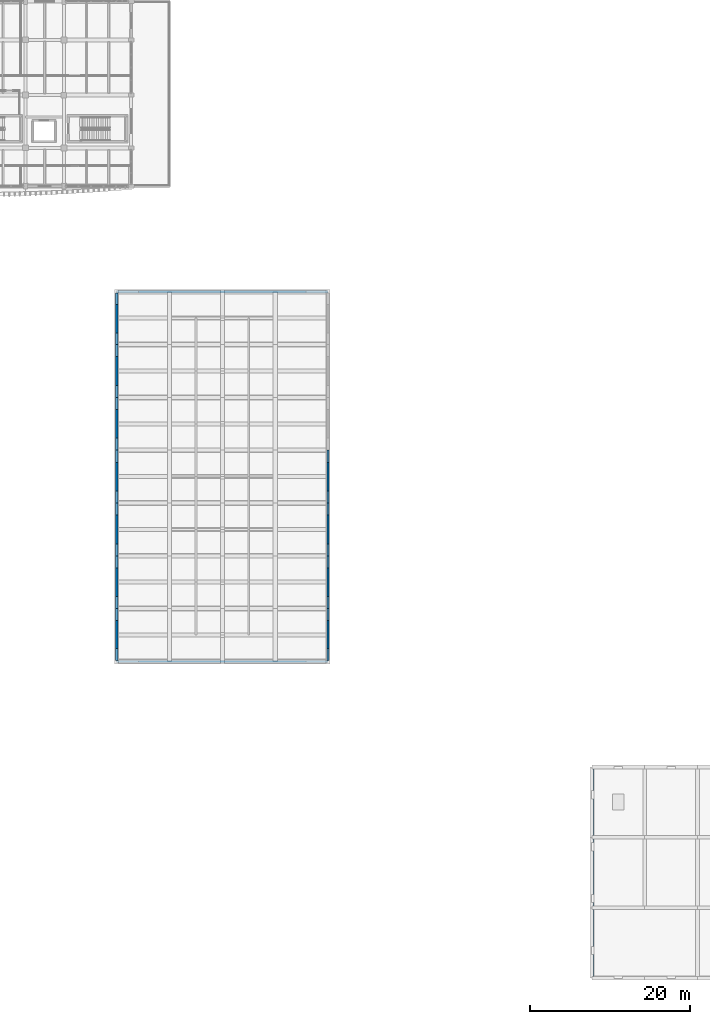
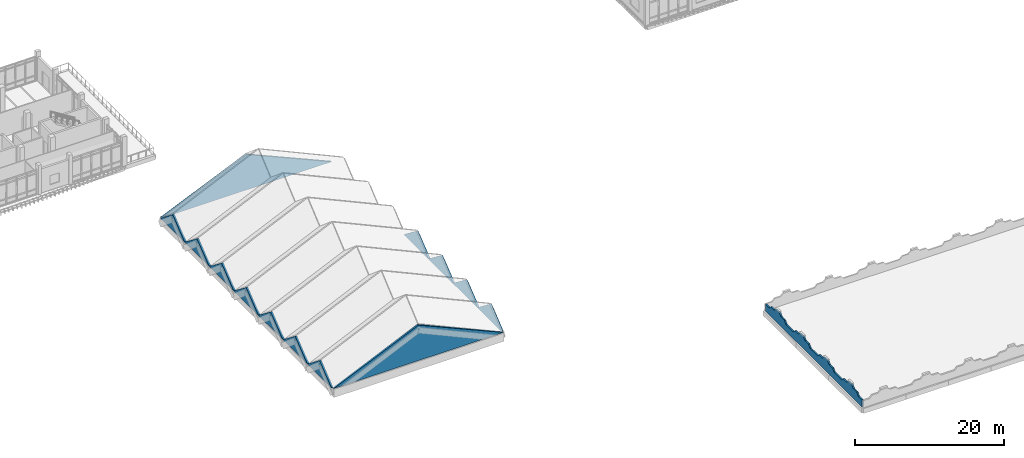
# One storey, part 26 of 50: 14 walls.
"""IFC4 building model written with IfcOpenShell, lengths in metres."""

from ifc_helpers import new_model, si_unit, direction, frame, origin, place, context, subcontext, project, spatial, polyline, outline, extrude, material, layer, layer_set, type_object, element, save


model = new_model("IFC4")

# Units and contexts
model_context = context("Model", 3, precision=1e-05, world=origin(), true_north=direction((0.0, 1.0)))
body_context = subcontext(model_context, "Body", "Model", "MODEL_VIEW")
ifc_project = project(units=[si_unit("LENGTHUNIT", "METRE"), si_unit("AREAUNIT", "SQUARE_METRE"), si_unit("VOLUMEUNIT", "CUBIC_METRE"), si_unit("PLANEANGLEUNIT", "RADIAN"), si_unit("MASSUNIT", "GRAM", prefix="KILO")], contexts=[model_context])

# Site, building, storey
site_placement = place(None, origin())
site = spatial("IfcSite", under=ifc_project, at=site_placement, CompositionType="ELEMENT")
building_placement = place(site_placement, origin())
building = spatial("IfcBuilding", under=site, at=building_placement, Name="Dornvale Research Institute", CompositionType="ELEMENT")
storey_placement = place(building_placement, frame((0.0, 0.0, 19.800048828125)))
storey = spatial("IfcBuildingStorey", under=building, at=storey_placement, Name="L04", CompositionType="ELEMENT", Elevation=19.800048828125)

# Walls
ifc_material_1 = material(Name="Concrete f'c 40 MPa (C32/40)", Category="concrete")
ifc_layer_1 = layer(ifc_material_1, 0.219970703125)
ifc_layer_set_1 = layer_set([ifc_layer_1], Name="Concrete f'c 40 MPa (C32/40)")
wall_type_1 = type_object("IfcWallType", Name="Parapet_Roof_220", PredefinedType="PARAPET", material=ifc_layer_set_1)
wall_1_placement = place(storey_placement, frame((99.110107421875, 0.219970703125, 0.0), z_axis=(0.0, 0.0, 1.0), x_axis=(0.0, 1.0, 0.0)))
element("IfcWall", 1, at=wall_1_placement, inside=storey, type_object=wall_type_1, Name="L04 V3-L04 parapet W", PredefinedType="PARAPET", context=body_context, shape_type="SweptSolid", body=[
    extrude(outline(polyline([(0.0, 0.0), (25.9599609375, 0.0), (25.9599609375, 1.14990234375), (24.921630859375, 1.14990234375), (24.5322265625, 1.579833984375), (23.62353515625, 1.579833984375), (23.1044921875, 2.050048828125), (22.32568359375, 2.050048828125), (21.806396484375, 1.579833984375), (20.897705078125, 1.579833984375), (20.50830078125, 1.14990234375), (19.469970703125, 1.14990234375), (18.431640625, 1.14990234375), (18.042236328125, 1.579833984375), (17.133544921875, 1.579833984375), (16.614501953125, 2.050048828125), (15.835693359375, 2.050048828125), (15.31640625, 1.579833984375), (14.40771484375, 1.579833984375), (14.018310546875, 1.14990234375), (12.97998046875, 1.14990234375), (11.941650390625, 1.14990234375), (11.55224609375, 1.579833984375), (10.6435546875, 1.579833984375), (10.12451171875, 2.050048828125), (9.345703125, 2.050048828125), (8.826416015625, 1.579833984375), (7.917724609375, 1.579833984375), (7.5283203125, 1.14990234375), (6.489990234375, 1.14990234375), (5.45166015625, 1.14990234375), (5.062255859375, 1.579833984375), (4.153564453125, 1.579833984375), (3.634521484375, 2.050048828125), (2.855712890625, 2.050048828125), (2.33642578125, 1.579833984375), (1.427734375, 1.579833984375), (1.038330078125, 1.14990234375), (0.0, 1.14990234375), (0.0, 0.0)])), frame((0.0, 0.10986328125, 0.0), z_axis=(0.0, -1.0, 0.0), x_axis=(1.0, 0.0, 0.0)), (0.0, 0.0, 1.0), 0.219970703125),
])
ifc_material_2 = material(Name="Precast Concrete f'c 40 MPa (C32/40) and Glazed Terracotta Backup Wall", Category="masonry")
ifc_layer_2 = layer(ifc_material_2, 0.280029296875)
ifc_layer_set_2 = layer_set([ifc_layer_2], Name="Precast Concrete f'c 40 MPa (C32/40) and Glazed Terracotta Backup Wall")
wall_type_2 = type_object("IfcWallType", Name="SolidWall_TerracottaBackup_280", PredefinedType="SOLIDWALL", material=ifc_layer_set_2)
for number, where, z_axis, x_axis, name in (
    (2, (66.0, 39.60009765625, 0.0), (0.0, 0.0, 1.0), (-1.0, 0.0, 0.0), "V2 Interaction Atrium south valley gable tympanum wall"),
    (3, (39.60009765625, 85.800048828125, 0.0), (0.0, 0.0, 1.0), (1.0, 0.0, 0.0), "V2 Interaction Atrium north valley gable tympanum wall"),
):
    element("IfcWall", number, at=place(storey_placement, frame(where, z_axis=z_axis, x_axis=x_axis)), inside=storey, type_object=wall_type_2, Name=name, PredefinedType="SOLIDWALL", context=body_context, shape_type="SweptSolid", body=[
        extrude(outline(polyline([(0.0, 0.0), (26.39990234375, 0.0), (26.39990234375, 0.0), (13.199951171875, 5.820068359375), (0.0, 0.0), (0.0, 0.0)])), frame((0.0, 0.14013671875, 0.0), z_axis=(0.0, -1.0, 0.0), x_axis=(1.0, 0.0, 0.0)), (0.0, 0.0, 1.0), 0.280029296875),
    ])
for number, where, z_axis, x_axis, name in (
    (4, (39.60009765625, 39.739990234375, 0.0), (0.0, 0.0, 1.0), (0.0, 1.0, 0.0), "V2 west accordion pleat gable wall #1"),
    (5, (66.0, 46.199951171875, 0.0), (0.0, 0.0, 1.0), (0.0, -1.0, 0.0), "V2 east accordion pleat gable wall #1"),
):
    element("IfcWall", number, at=place(storey_placement, frame(where, z_axis=z_axis, x_axis=x_axis)), inside=storey, type_object=wall_type_2, Name=name, PredefinedType="SOLIDWALL", context=body_context, shape_type="SweptSolid", body=[
        extrude(outline(polyline([(0.0, 0.0), (6.4599609375, 0.0), (6.4599609375, 0.050048828125), (3.22998046875, 2.579833984375), (0.0, 0.050048828125), (0.0, 0.0)])), frame((0.0, 0.14013671875, 0.0), z_axis=(0.0, -1.0, 0.0), x_axis=(1.0, 0.0, 0.0)), (0.0, 0.0, 1.0), 0.280029296875),
    ])
for number, where, z_axis, x_axis, name in (
    (6, (39.60009765625, 46.199951171875, 0.0), (0.0, 0.0, 1.0), (0.0, 1.0, 0.0), "V2 west accordion pleat gable wall #2"),
    (7, (66.0, 52.800048828125, 0.0), (0.0, 0.0, 1.0), (0.0, -1.0, 0.0), "V2 east accordion pleat gable wall #2"),
):
    element("IfcWall", number, at=place(storey_placement, frame(where, z_axis=z_axis, x_axis=x_axis)), inside=storey, type_object=wall_type_2, Name=name, PredefinedType="SOLIDWALL", context=body_context, shape_type="SweptSolid", body=[
        extrude(outline(polyline([(0.0, 0.0), (6.60009765625, 0.0), (6.60009765625, 0.050048828125), (3.300048828125, 2.579833984375), (0.0, 0.050048828125), (0.0, 0.0)])), frame((0.0, 0.14013671875, 0.0), z_axis=(0.0, -1.0, 0.0), x_axis=(1.0, 0.0, 0.0)), (0.0, 0.0, 1.0), 0.280029296875),
    ])
for number, where, z_axis, x_axis, name in (
    (8, (39.60009765625, 52.800048828125, 0.0), (0.0, 0.0, 1.0), (0.0, 1.0, 0.0), "V2 west accordion pleat gable wall #3"),
    (9, (66.0, 59.39990234375, 0.0), (0.0, 0.0, 1.0), (0.0, -1.0, 0.0), "V2 east accordion pleat gable wall #3"),
):
    element("IfcWall", number, at=place(storey_placement, frame(where, z_axis=z_axis, x_axis=x_axis)), inside=storey, type_object=wall_type_2, Name=name, PredefinedType="SOLIDWALL", context=body_context, shape_type="SweptSolid", body=[
        extrude(outline(polyline([(0.0, 0.0), (6.599853515625, 0.0), (6.60009765625, 0.050048828125), (3.300048828125, 2.579833984375), (0.0, 0.050048828125), (0.0, 0.0)])), frame((0.0, 0.14013671875, 0.0), z_axis=(0.0, -1.0, 0.0), x_axis=(1.0, 0.0, 0.0)), (0.0, 0.0, 1.0), 0.280029296875),
    ])
for number, where, z_axis, x_axis, name in (
    (10, (39.60009765625, 59.39990234375, 0.0), (0.0, 0.0, 1.0), (0.0, 1.0, 0.0), "V2 west accordion pleat gable wall #4"),
    (11, (66.0, 66.0, 0.0), (0.0, 0.0, 1.0), (0.0, -1.0, 0.0), "V2 east accordion pleat gable wall #4"),
    (12, (39.60009765625, 66.0, 0.0), (0.0, 0.0, 1.0), (0.0, 1.0, 0.0), "V2 west accordion pleat gable wall #5"),
):
    element("IfcWall", number, at=place(storey_placement, frame(where, z_axis=z_axis, x_axis=x_axis)), inside=storey, type_object=wall_type_2, Name=name, PredefinedType="SOLIDWALL", context=body_context, shape_type="SweptSolid", body=[
        extrude(outline(polyline([(0.0, 0.0), (6.60009765625, 0.0), (6.60009765625, 0.050048828125), (3.300048828125, 2.579833984375), (0.0, 0.050048828125), (0.0, 0.0)])), frame((0.0, 0.14013671875, 0.0), z_axis=(0.0, -1.0, 0.0), x_axis=(1.0, 0.0, 0.0)), (0.0, 0.0, 1.0), 0.280029296875),
    ])
wall_2_placement = place(storey_placement, frame((39.60009765625, 72.60009765625, 0.0), z_axis=(0.0, 0.0, 1.0), x_axis=(0.0, 1.0, 0.0)))
element("IfcWall", 13, at=wall_2_placement, inside=storey, type_object=wall_type_2, Name="V2 west accordion pleat gable wall #6", PredefinedType="SOLIDWALL", context=body_context, shape_type="SweptSolid", body=[
    extrude(outline(polyline([(0.0, 0.0), (6.599853515625, 0.0), (6.60009765625, 0.050048828125), (3.300048828125, 2.579833984375), (0.0, 0.050048828125), (0.0, 0.0)])), frame((0.0, 0.14013671875, 0.0), z_axis=(0.0, -1.0, 0.0), x_axis=(1.0, 0.0, 0.0)), (0.0, 0.0, 1.0), 0.280029296875),
])
wall_3_placement = place(storey_placement, frame((39.60009765625, 79.199951171875, 0.0), z_axis=(0.0, 0.0, 1.0), x_axis=(0.0, 1.0, 0.0)))
element("IfcWall", 14, at=wall_3_placement, inside=storey, type_object=wall_type_2, Name="V2 west accordion pleat gable wall #7", PredefinedType="SOLIDWALL", context=body_context, shape_type="SweptSolid", body=[
    extrude(outline(polyline([(0.0, 0.0), (6.4599609375, 0.0), (6.4599609375, 0.050048828125), (3.22998046875, 2.579833984375), (0.0, 0.050048828125), (0.0, 0.0)])), frame((0.0, 0.14013671875, 0.0), z_axis=(0.0, -1.0, 0.0), x_axis=(1.0, 0.0, 0.0)), (0.0, 0.0, 1.0), 0.280029296875),
])

save(model, "model.ifc")
